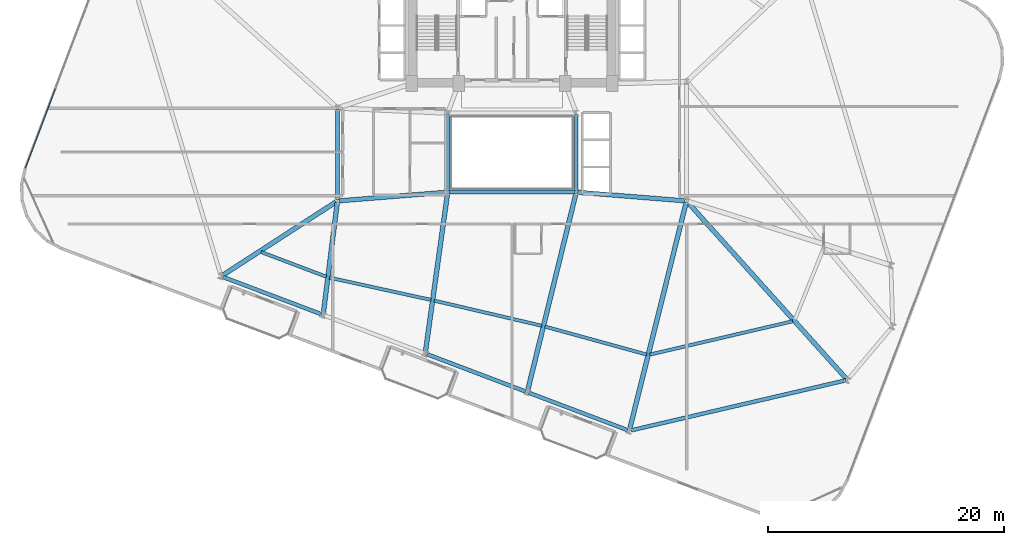
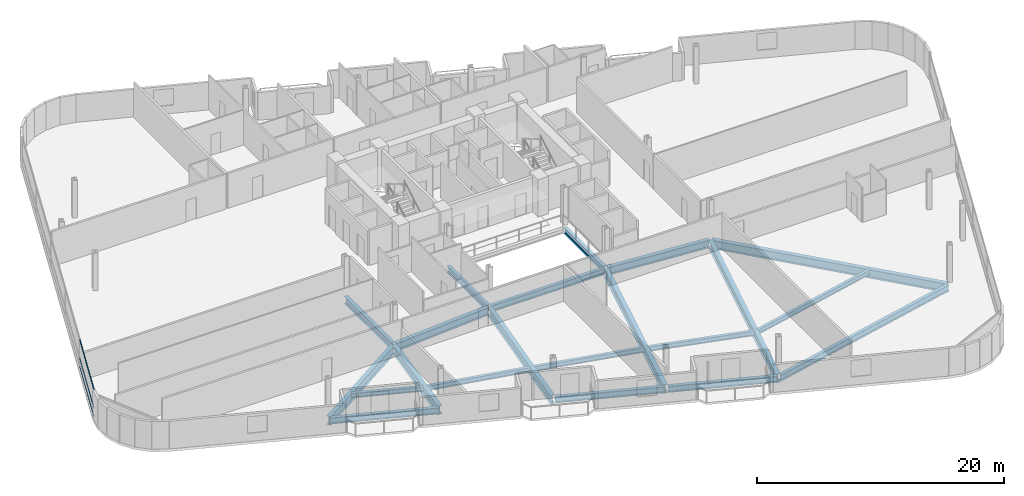
# One storey, part 3 of 25: 21 beams, 3 members, 1 element without a shape of its own.
"""IFC4 building model written with IfcOpenShell, lengths in metres."""

from ifc_helpers import new_model, si_unit, direction, frame, origin, origin_2d, place, context, subcontext, project, spatial, hollow_rectangle, i_section, extrude, material, layer, layer_set, material_profile, profile_set, type_object, element, aggregate, save


model = new_model("IFC4")

# Units and contexts
model_context = context("Model", 3, precision=1e-05, world=origin(), true_north=direction((0.0, 1.0)))
body_context = subcontext(model_context, "Body", "Model", "MODEL_VIEW")
ifc_project = project(units=[si_unit("LENGTHUNIT", "METRE"), si_unit("AREAUNIT", "SQUARE_METRE"), si_unit("VOLUMEUNIT", "CUBIC_METRE"), si_unit("PLANEANGLEUNIT", "RADIAN"), si_unit("MASSUNIT", "GRAM", prefix="KILO")], contexts=[model_context])

# Site, building, storey
site_placement = place(None, origin())
site = spatial("IfcSite", under=ifc_project, at=site_placement, CompositionType="ELEMENT")
building_placement = place(site_placement, origin())
building = spatial("IfcBuilding", under=site, at=building_placement, Name="Varnelok Gate Tower", CompositionType="ELEMENT")
storey_placement = place(building_placement, frame((0.0, 0.0, 105.800048828125)))
storey = spatial("IfcBuildingStorey", under=building, at=storey_placement, Name="L26", CompositionType="ELEMENT", Elevation=105.800048828125)

# Beams
ifc_material_1 = material(Name="Structural Steel ASTM A992 Grade 50", Category="steel")
ifc_material_profile_1 = material_profile(ifc_material_1, i_section(OverallWidth=0.280029296875, OverallDepth=0.462890625, WebThickness=0.0107421875, FlangeThickness=0.017333984375, FilletRadius=0.014892578125, at=origin_2d()), Name="W18X76")
ifc_profile_set_1 = profile_set([ifc_material_profile_1], Name="Structural Steel ASTM A992 Grade 50")
beam_type_1 = type_object("IfcBeamType", Name="BM-JST-W18X76", PredefinedType="JOIST", material=ifc_profile_set_1)
beam_1_placement = place(storey_placement, frame((17.92529296875, 14.473388671875, -0.4814453125), z_axis=(0.935224241006, -0.354055954666, 0.0), x_axis=(0.354055954666, 0.935224241006, 0.0)))
element("IfcBeam", 1, at=beam_1_placement, inside=storey, type_object=beam_type_1, Name="L26 Sector Floor Joist 1", PredefinedType="JOIST", context=body_context, shape_type="SweptSolid", body=[
    extrude(i_section(OverallWidth=0.280029296875, OverallDepth=0.462890625, WebThickness=0.0107421875, FlangeThickness=0.017333984375, FilletRadius=0.014892578125, at=origin_2d()), origin(), (0.0, 0.0, 1.0), 5.917724609375),
])
beam_2_placement = place(storey_placement, frame((23.727294921875, 12.298583984375, -0.4814453125), z_axis=(0.976811371501, -0.214101715326, 0.0), x_axis=(0.214101715326, 0.976811371501, 0.0)))
element("IfcBeam", 2, at=beam_2_placement, inside=storey, type_object=beam_type_1, Name="L26 Sector Floor Joist 2", PredefinedType="JOIST", context=body_context, shape_type="SweptSolid", body=[
    extrude(i_section(OverallWidth=0.280029296875, OverallDepth=0.462890625, WebThickness=0.0107421875, FlangeThickness=0.017333984375, FilletRadius=0.014892578125, at=origin_2d()), origin(), (0.0, 0.0, 1.0), 8.812255859375),
])
beam_3_placement = place(storey_placement, frame((32.6083984375, 10.349853515625, -0.4814453125), z_axis=(0.973781378706, -0.227485881949, 0.0), x_axis=(0.227485881949, 0.973781378706, 0.0)))
element("IfcBeam", 3, at=beam_3_placement, inside=storey, type_object=beam_type_1, Name="L26 Sector Floor Joist 3", PredefinedType="JOIST", context=body_context, shape_type="SweptSolid", body=[
    extrude(i_section(OverallWidth=0.280029296875, OverallDepth=0.462890625, WebThickness=0.0107421875, FlangeThickness=0.017333984375, FilletRadius=0.014892578125, at=origin_2d()), origin(), (0.0, 0.0, 1.0), 9.365966796875),
])
beam_4_placement = place(storey_placement, frame((42.0, 8.150390625, -0.4814453125), z_axis=(0.964219893218, -0.265103748602, 0.0), x_axis=(0.265103748602, 0.964219893218, 0.0)))
element("IfcBeam", 4, at=beam_4_placement, inside=storey, type_object=beam_type_1, Name="L26 Sector Floor Joist 4", PredefinedType="JOIST", context=body_context, shape_type="SweptSolid", body=[
    extrude(i_section(OverallWidth=0.280029296875, OverallDepth=0.462890625, WebThickness=0.0107421875, FlangeThickness=0.017333984375, FilletRadius=0.014892578125, at=origin_2d()), origin(), (0.0, 0.0, 1.0), 8.93115234375),
])
beam_5_placement = place(storey_placement, frame((50.883056640625, 5.77734375, -0.4814453125), z_axis=(0.973875066894, 0.227084464643, 0.0), x_axis=(-0.227084464643, 0.973875066894, 0.0)))
element("IfcBeam", 5, at=beam_5_placement, inside=storey, type_object=beam_type_1, Name="L26 Sector Floor Joist 5", PredefinedType="JOIST", context=body_context, shape_type="SweptSolid", body=[
    extrude(i_section(OverallWidth=0.280029296875, OverallDepth=0.462890625, WebThickness=0.0107421875, FlangeThickness=0.017333984375, FilletRadius=0.014892578125, at=origin_2d()), origin(), (0.0, 0.0, 1.0), 12.442138671875),
])
ifc_material_profile_2 = material_profile(ifc_material_1, i_section(OverallWidth=0.35498046875, OverallDepth=0.696044921875, WebThickness=0.015380859375, FlangeThickness=0.02490234375, FilletRadius=0.02001953125, at=origin_2d()), Name="W27X146")
ifc_profile_set_2 = profile_set([ifc_material_profile_2], Name="Structural Steel ASTM A992 Grade 50")
beam_type_2 = type_object("IfcBeamType", Name="BM-PRI-W27X146", PredefinedType="BEAM", material=ifc_profile_set_2)
beam_6_placement = place(storey_placement, frame((24.39990234375, 18.919921875, -0.59814453125), z_axis=(0.0, 1.0, 0.0), x_axis=(-1.0, 0.0, 0.0)))
element("IfcBeam", 6, at=beam_6_placement, inside=storey, type_object=beam_type_2, Name="L26 Core-Atrium Spine Beam 16", PredefinedType="BEAM", context=body_context, shape_type="SweptSolid", body=[
    extrude(i_section(OverallWidth=0.35498046875, OverallDepth=0.696044921875, WebThickness=0.015380859375, FlangeThickness=0.02490234375, FilletRadius=0.02001953125, at=origin_2d()), origin(), (0.0, 0.0, 1.0), 7.64013671875),
])
ifc_material_profile_3 = material_profile(ifc_material_1, i_section(OverallWidth=0.381103515625, OverallDepth=0.77294921875, WebThickness=0.0166015625, FlangeThickness=0.027099609375, FilletRadius=0.02197265625, at=origin_2d()), Name="W30X173")
ifc_profile_set_3 = profile_set([ifc_material_profile_3], Name="Structural Steel ASTM A992 Grade 50")
beam_type_3 = type_object("IfcBeamType", Name="BM-PRI-W30X173", PredefinedType="BEAM", material=ifc_profile_set_3)
for number, where, z_axis, x_axis, name in (
    (7, (24.51953125, 18.8095703125, -0.636474609375), (0.996799206292, 0.07994587128, 0.0), (-0.07994587128, 0.996799206292, 0.0), "L26 Core-Atrium Spine Beam 14"),
    (8, (44.76953125, 19.540283203125, -0.636474609375), (0.996799206292, -0.07994587128, 0.0), (0.07994587128, 0.996799206292, 0.0), "L26 Core-Atrium Spine Beam 18"),
):
    element("IfcBeam", number, at=place(storey_placement, frame(where, z_axis=z_axis, x_axis=x_axis)), inside=storey, type_object=beam_type_3, Name=name, PredefinedType="BEAM", context=body_context, shape_type="SweptSolid", body=[
        extrude(i_section(OverallWidth=0.381103515625, OverallDepth=0.77294921875, WebThickness=0.0166015625, FlangeThickness=0.027099609375, FilletRadius=0.02197265625, at=origin_2d()), origin(), (0.0, 0.0, 1.0), 9.14013671875),
    ])
ifc_material_profile_4 = material_profile(ifc_material_1, i_section(OverallWidth=0.39892578125, OverallDepth=0.85498046875, WebThickness=0.018310546875, FlangeThickness=0.029296875, FilletRadius=0.02392578125, at=origin_2d()), Name="W33X201")
ifc_profile_set_4 = profile_set([ifc_material_profile_4], Name="Structural Steel ASTM A992 Grade 50")
beam_type_4 = type_object("IfcBeamType", Name="BM-PRI-W33X201", PredefinedType="BEAM", material=ifc_profile_set_4)
beam_7_placement = place(storey_placement, frame((24.274169921875, 18.718505859375, -0.677490234375), z_axis=(-0.839398998687, -0.543515704468, 0.0), x_axis=(0.543515704468, -0.839398998687, 0.0)))
element("IfcBeam", 9, at=beam_7_placement, inside=storey, type_object=beam_type_4, Name="L26 Radial Floor Girder 1", PredefinedType="BEAM", context=body_context, shape_type="SweptSolid", body=[
    extrude(i_section(OverallWidth=0.39892578125, OverallDepth=0.85498046875, WebThickness=0.018310546875, FlangeThickness=0.029296875, FilletRadius=0.02392578125, at=origin_2d()), origin(), (0.0, 0.0, 1.0), 11.4453125),
])
beam_8_placement = place(storey_placement, frame((24.38134765625, 18.651123046875, -0.677490234375), z_axis=(-0.124114361033, -0.992267920163, 0.0), x_axis=(0.992267920163, -0.124114361033, 0.0)))
element("IfcBeam", 10, at=beam_8_placement, inside=storey, type_object=beam_type_4, Name="L26 Radial Floor Girder 2", PredefinedType="BEAM", context=body_context, shape_type="SweptSolid", body=[
    extrude(i_section(OverallWidth=0.39892578125, OverallDepth=0.85498046875, WebThickness=0.018310546875, FlangeThickness=0.029296875, FilletRadius=0.02392578125, at=origin_2d()), origin(), (0.0, 0.0, 1.0), 9.43408203125),
])
beam_9_placement = place(storey_placement, frame((33.729248046875, 19.4013671875, -0.677490234375), z_axis=(-0.138054699139, -0.990424605937, 0.0), x_axis=(0.990424605937, -0.138054699139, 0.0)))
element("IfcBeam", 11, at=beam_9_placement, inside=storey, type_object=beam_type_4, Name="L26 Radial Floor Girder 3", PredefinedType="BEAM", context=body_context, shape_type="SweptSolid", body=[
    extrude(i_section(OverallWidth=0.39892578125, OverallDepth=0.85498046875, WebThickness=0.018310546875, FlangeThickness=0.029296875, FilletRadius=0.02392578125, at=origin_2d()), origin(), (0.0, 0.0, 1.0), 13.51611328125),
])
beam_10_placement = place(storey_placement, frame((44.6142578125, 19.404296875, -0.677490234375), z_axis=(-0.238054163128, -0.971251880522, 0.0), x_axis=(0.971251880522, -0.238054163128, 0.0)))
element("IfcBeam", 12, at=beam_10_placement, inside=storey, type_object=beam_type_4, Name="L26 Radial Floor Girder 4", PredefinedType="BEAM", context=body_context, shape_type="SweptSolid", body=[
    extrude(i_section(OverallWidth=0.39892578125, OverallDepth=0.85498046875, WebThickness=0.018310546875, FlangeThickness=0.029296875, FilletRadius=0.02392578125, at=origin_2d()), origin(), (0.0, 0.0, 1.0), 17.160888671875),
])
beam_11_placement = place(storey_placement, frame((53.963623046875, 18.654541015625, -0.677490234375), z_axis=(-0.241818229902, -0.970321567156, 0.0), x_axis=(0.970321567156, -0.241818229902, 0.0)))
element("IfcBeam", 13, at=beam_11_placement, inside=storey, type_object=beam_type_4, Name="L26 Radial Floor Girder 5", PredefinedType="BEAM", context=body_context, shape_type="SweptSolid", body=[
    extrude(i_section(OverallWidth=0.39892578125, OverallDepth=0.85498046875, WebThickness=0.018310546875, FlangeThickness=0.029296875, FilletRadius=0.02392578125, at=origin_2d()), origin(), (0.0, 0.0, 1.0), 19.7802734375),
])
beam_12_placement = place(storey_placement, frame((54.100341796875, 18.6884765625, -0.677490234375), z_axis=(0.668462619128, -0.743745740713, 0.0), x_axis=(0.743745740713, 0.668462619128, 0.0)))
element("IfcBeam", 14, at=beam_12_placement, inside=storey, type_object=beam_type_4, Name="L26 Radial Floor Girder 6", PredefinedType="BEAM", context=body_context, shape_type="SweptSolid", body=[
    extrude(i_section(OverallWidth=0.39892578125, OverallDepth=0.85498046875, WebThickness=0.018310546875, FlangeThickness=0.029296875, FilletRadius=0.02392578125, at=origin_2d()), origin(), (0.0, 0.0, 1.0), 20.099853515625),
])
ifc_material_profile_5 = material_profile(ifc_material_1, i_section(OverallWidth=0.323974609375, OverallDepth=0.611083984375, WebThickness=0.0126953125, FlangeThickness=0.01904296875, FilletRadius=0.01806640625, at=origin_2d()), Name="W24X104")
ifc_profile_set_5 = profile_set([ifc_material_profile_5], Name="Structural Steel ASTM A992 Grade 50")
beam_type_5 = type_object("IfcBeamType", Name="BM-SPN-W24X104", PredefinedType="SPANDREL", material=ifc_profile_set_5)
beam_13_placement = place(storey_placement, frame((33.8701171875, 19.550048828125, -0.5556640625), z_axis=(1.0, 0.0, 0.0), x_axis=(0.0, 1.0, 0.0)))
element("IfcBeam", 15, at=beam_13_placement, inside=storey, type_object=beam_type_5, Name="L26 Core-Atrium Spine Beam 8", PredefinedType="SPANDREL", context=body_context, shape_type="SweptSolid", body=[
    extrude(i_section(OverallWidth=0.323974609375, OverallDepth=0.611083984375, WebThickness=0.0126953125, FlangeThickness=0.01904296875, FilletRadius=0.01806640625, at=origin_2d()), origin(), (0.0, 0.0, 1.0), 10.659912109375),
])
for number, where, z_axis, x_axis, name in (
    (16, (33.75, 19.669921875, -0.5556640625), (0.0, 1.0, 0.0), (-1.0, 0.0, 0.0), "L26 Core-Atrium Spine Beam 10"),
    (17, (44.64990234375, 19.669921875, -0.5556640625), (0.0, 1.0, 0.0), (-1.0, 0.0, 0.0), "L26 Core-Atrium Spine Beam 11"),
):
    element("IfcBeam", number, at=place(storey_placement, frame(where, z_axis=z_axis, x_axis=x_axis)), inside=storey, type_object=beam_type_5, Name=name, PredefinedType="SPANDREL", context=body_context, shape_type="SweptSolid", body=[
        extrude(i_section(OverallWidth=0.323974609375, OverallDepth=0.611083984375, WebThickness=0.0126953125, FlangeThickness=0.01904296875, FilletRadius=0.01806640625, at=origin_2d()), origin(), (0.0, 0.0, 1.0), 6.4599609375),
    ])
for number, where, z_axis, x_axis, name in (
    (18, (14.681396484375, 12.363037109375, -0.5556640625), (0.935225969099, -0.354051389947, 0.0), (0.354051389947, 0.935225969099, 0.0), "L26 Perimeter Spandrel Beam 1"),
    (19, (31.98291015625, 5.81298828125, -0.5556640625), (0.935216936382, -0.354075248928, 0.0), (0.354075248928, 0.935216936382, 0.0), "L26 Perimeter Spandrel Beam 3"),
    (20, (40.6337890625, 2.537841796875, -0.5556640625), (0.935216936382, -0.354075248928, 0.0), (0.354075248928, 0.935216936382, 0.0), "L26 Perimeter Spandrel Beam 4"),
):
    element("IfcBeam", number, at=place(storey_placement, frame(where, z_axis=z_axis, x_axis=x_axis)), inside=storey, type_object=beam_type_5, Name=name, PredefinedType="SPANDREL", context=body_context, shape_type="SweptSolid", body=[
        extrude(i_section(OverallWidth=0.323974609375, OverallDepth=0.611083984375, WebThickness=0.0126953125, FlangeThickness=0.01904296875, FilletRadius=0.01806640625, at=origin_2d()), origin(), (0.0, 0.0, 1.0), 8.949951171875),
    ])
beam_14_placement = place(storey_placement, frame((49.290283203125, -0.64990234375, -0.5556640625), z_axis=(0.973880317885, 0.227061944052, 0.0), x_axis=(-0.227061944052, 0.973880317885, 0.0)))
element("IfcBeam", 21, at=beam_14_placement, inside=storey, type_object=beam_type_5, Name="L26 Perimeter Spandrel Beam 5", PredefinedType="SPANDREL", context=body_context, shape_type="SweptSolid", body=[
    extrude(i_section(OverallWidth=0.323974609375, OverallDepth=0.611083984375, WebThickness=0.0126953125, FlangeThickness=0.01904296875, FilletRadius=0.01806640625, at=origin_2d()), origin(), (0.0, 0.0, 1.0), 18.688232421875),
])

# Curtain wall, members
ifc_material_2 = material(Name="Anodized Aluminum Alloy 6063-T6", Category="aluminium")
ifc_layer = layer(ifc_material_2, 0.179931640625)
ifc_layer_set = layer_set([ifc_layer], Name="Anodized Aluminum Alloy 6063-T6")
curtain_wall_type = type_object("IfcCurtainWallType", Name="CW3-HOTEL-VISION", PredefinedType="USERDEFINED", material=ifc_layer_set)
curtain_wall_placement = place(storey_placement, origin())
curtain_wall = element("IfcCurtainWall", 22, at=curtain_wall_placement, inside=storey, type_object=curtain_wall_type, Name="L26 West End Vision Curtain Wall", ObjectType="UNITISED CURTAIN WALL", PredefinedType="USERDEFINED")
ifc_material_profile_6 = material_profile(ifc_material_2, hollow_rectangle(XDim=0.06494140625, YDim=0.159912109375, WallThickness=0.00390625, at=origin_2d()), Name="ALU160X65X4")
ifc_profile_set_6 = profile_set([ifc_material_profile_6], Name="Anodized Aluminum Alloy 6063-T6")
member_type = type_object("IfcMemberType", Name="CW-TRAN-160", PredefinedType="USERDEFINED", material=ifc_profile_set_6)
member_1_placement = place(storey_placement, frame((-2.031982421875, 21.625732421875, 0.032470703125), z_axis=(0.35408846525, 0.935211932546, 0.0), x_axis=(-0.935211932546, 0.35408846525, 0.0)))
member_1 = element("IfcMember", 23, at=member_1_placement, type_object=member_type, Name="CW3 transom 1.1", ObjectType="TRANSOM", PredefinedType="USERDEFINED", context=body_context, shape_type="SweptSolid", body=[
    extrude(hollow_rectangle(XDim=0.06494140625, YDim=0.159912109375, WallThickness=0.00390625, at=origin_2d()), origin(), (0.0, 0.0, 1.0), 7.142333984375),
])
member_2_placement = place(storey_placement, frame((-2.031982421875, 21.625732421875, 0.89990234375), z_axis=(0.35408846525, 0.935211932546, 0.0), x_axis=(-0.935211932546, 0.35408846525, 0.0)))
member_2 = element("IfcMember", 24, at=member_2_placement, type_object=member_type, Name="CW3 transom 1.2", ObjectType="TRANSOM", PredefinedType="USERDEFINED", context=body_context, shape_type="SweptSolid", body=[
    extrude(hollow_rectangle(XDim=0.06494140625, YDim=0.159912109375, WallThickness=0.00390625, at=origin_2d()), origin(), (0.0, 0.0, 1.0), 7.142333984375),
])
member_3_placement = place(storey_placement, frame((-2.031982421875, 21.625732421875, 2.697509765625), z_axis=(0.35408846525, 0.935211932546, 0.0), x_axis=(-0.935211932546, 0.35408846525, 0.0)))
member_3 = element("IfcMember", 25, at=member_3_placement, type_object=member_type, Name="CW3 transom 1.3", ObjectType="TRANSOM", PredefinedType="USERDEFINED", context=body_context, shape_type="SweptSolid", body=[
    extrude(hollow_rectangle(XDim=0.06494140625, YDim=0.159912109375, WallThickness=0.00390625, at=origin_2d()), origin(), (0.0, 0.0, 1.0), 7.142333984375),
])
aggregate(curtain_wall, [member_1, member_2, member_3])

save(model, "model.ifc")
